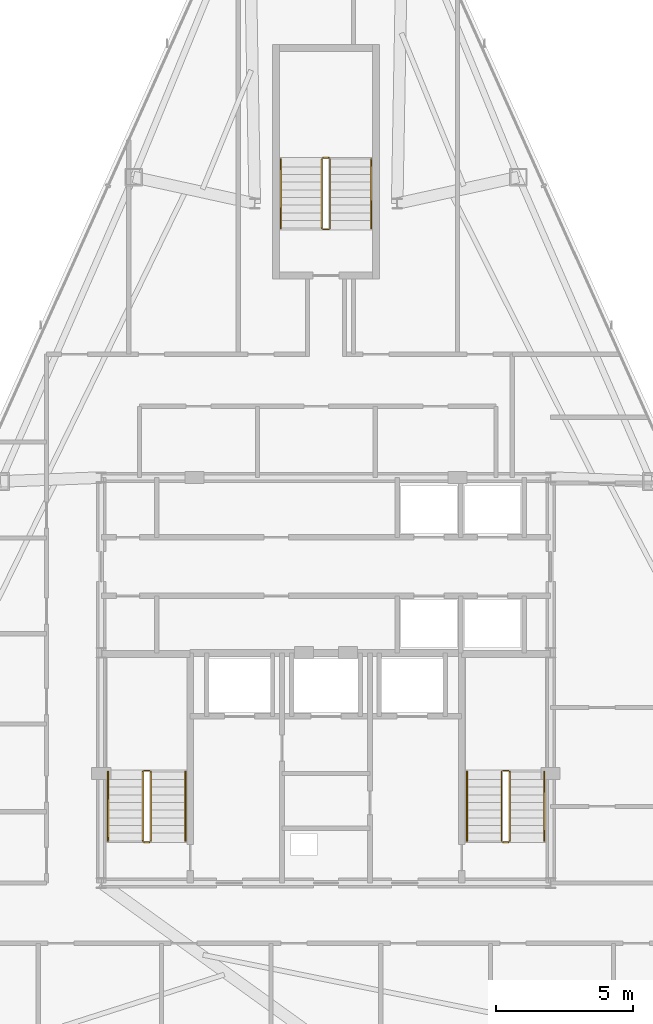
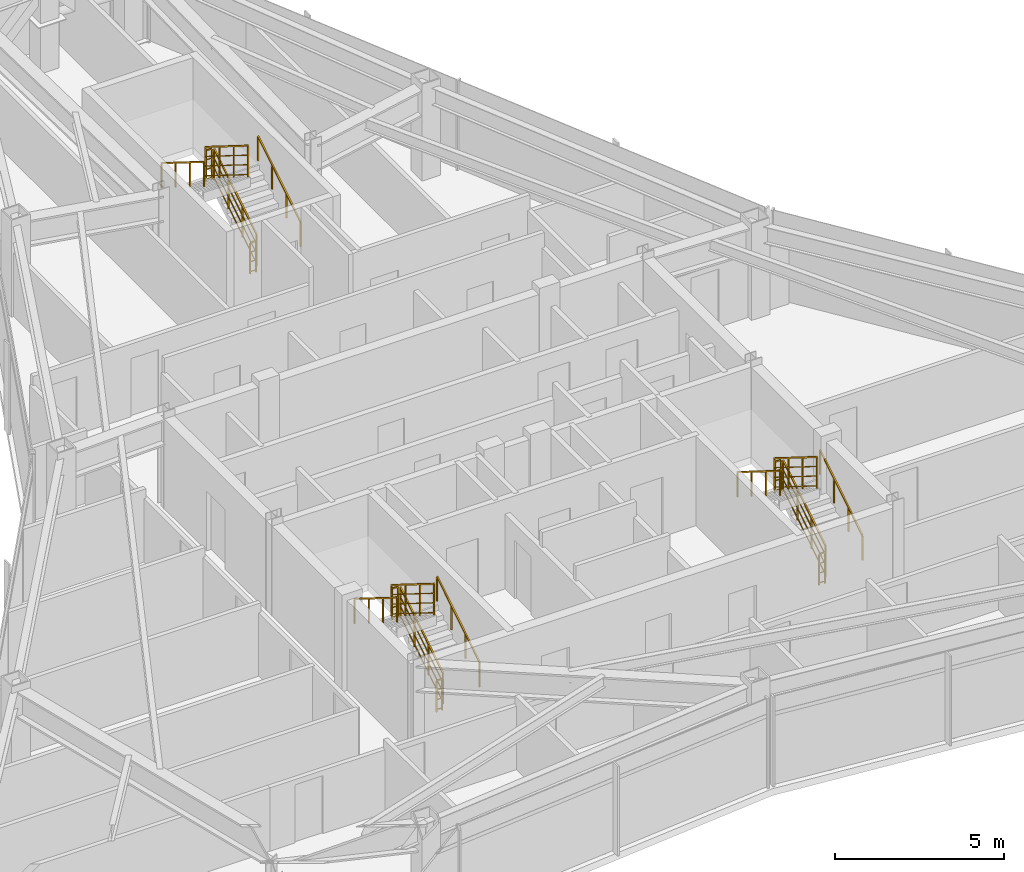
# One storey, part 12 of 12: 18 railings.
"""IFC4 building model written with IfcOpenShell, lengths in metres."""

from ifc_helpers import new_model, si_unit, direction, frame, origin, origin_2d, place, context, subcontext, project, spatial, rectangle, extrude, material, type_object, element, save


model = new_model("IFC4")

# Units and contexts
model_context = context("Model", 3, precision=1e-05, world=origin(), true_north=direction((0.0, 1.0)))
body_context = subcontext(model_context, "Body", "Model", "MODEL_VIEW")
ifc_project = project(units=[si_unit("LENGTHUNIT", "METRE"), si_unit("AREAUNIT", "SQUARE_METRE"), si_unit("VOLUMEUNIT", "CUBIC_METRE"), si_unit("PLANEANGLEUNIT", "RADIAN"), si_unit("MASSUNIT", "GRAM", prefix="KILO")], contexts=[model_context])

# Site, building, storey
site_placement = place(None, origin())
site = spatial("IfcSite", under=ifc_project, at=site_placement, CompositionType="ELEMENT")
building_placement = place(site_placement, origin())
building = spatial("IfcBuilding", under=site, at=building_placement, Name="Varakhsha Concourse Tower", CompositionType="ELEMENT")
storey_placement = place(building_placement, frame((0.0, 0.0, 255.0)))
storey = spatial("IfcBuildingStorey", under=building, at=storey_placement, Name="L72", CompositionType="ELEMENT", Elevation=255.0)

# Railings
ifc_material = material(Name="Brushed Austenitic Stainless Steel AISI 316", Category="steel")
railing_type_1 = type_object("IfcRailingType", Name="RL-STAIR-GUARD-1100", PredefinedType="GUARDRAIL", material=ifc_material)
railing_1_placement = place(storey_placement, frame((33.610107421875, 17.93994140625, 0.175048828125)))
element("IfcRailing", 1, at=railing_1_placement, inside=storey, type_object=railing_type_1, Name="L72 ST1 stair guard 1", PredefinedType="GUARDRAIL", context=body_context, shape_type="SweptSolid", body=[
    extrude(rectangle(XDim=0.048095703125, YDim=0.048095703125, at=origin_2d()), frame((0.0, 0.0, 1.1259765625), z_axis=(0.0, 0.848007534815, 0.529984170421), x_axis=(-1.0, 0.0, 0.0)), (0.0, 0.0, 1.0), 2.9716796875),
    extrude(rectangle(XDim=0.028076171875, YDim=0.028076171875, at=origin_2d()), frame((0.0, 0.0, 0.080078125), z_axis=(0.0, 0.848007534815, 0.529984170421), x_axis=(-1.0, 0.0, 0.0)), (0.0, 0.0, 1.0), 2.9716796875),
    extrude(rectangle(XDim=0.028076171875, YDim=0.028076171875, at=origin_2d()), frame((0.0, 0.0, 0.43701171875), z_axis=(0.0, 0.848007534815, 0.529984170421), x_axis=(-1.0, 0.0, 0.0)), (0.0, 0.0, 1.0), 2.9716796875),
    extrude(rectangle(XDim=0.028076171875, YDim=0.028076171875, at=origin_2d()), frame((0.0, 0.0, 0.781982421875), z_axis=(0.0, 0.848007534815, 0.529984170421), x_axis=(-1.0, 0.0, 0.0)), (0.0, 0.0, 1.0), 2.9716796875),
    extrude(rectangle(XDim=0.0419921875, YDim=0.0419921875, at=origin_2d()), origin(), (0.0, 0.0, 1.0), 1.101806640625),
    extrude(rectangle(XDim=0.0419921875, YDim=0.0419921875, at=origin_2d()), frame((0.0, 0.840087890625, 0.52490234375)), (0.0, 0.0, 1.0), 1.101806640625),
    extrude(rectangle(XDim=0.0419921875, YDim=0.0419921875, at=origin_2d()), frame((0.0, 1.679931640625, 1.050048828125)), (0.0, 0.0, 1.0), 1.101806640625),
    extrude(rectangle(XDim=0.0419921875, YDim=0.0419921875, at=origin_2d()), frame((0.0, 2.52001953125, 1.574951171875)), (0.0, 0.0, 1.0), 1.101806640625),
])
railing_2_placement = place(storey_placement, frame((33.56005859375, 20.510009765625, 1.75)))
element("IfcRailing", 2, at=railing_2_placement, inside=storey, type_object=railing_type_1, Name="L72 ST1 stair guard 2", PredefinedType="GUARDRAIL", context=body_context, shape_type="SweptSolid", body=[
    extrude(rectangle(XDim=0.048095703125, YDim=0.048095703125, at=origin_2d()), frame((0.0, 0.0, 1.1259765625), z_axis=(-1.0, 0.0, 0.0), x_axis=(0.0, -1.0, 0.0)), (0.0, 0.0, 1.0), 0.199951171875),
    extrude(rectangle(XDim=0.028076171875, YDim=0.028076171875, at=origin_2d()), frame((0.0, 0.0, 0.080078125), z_axis=(-1.0, 0.0, 0.0), x_axis=(0.0, -1.0, 0.0)), (0.0, 0.0, 1.0), 0.199951171875),
    extrude(rectangle(XDim=0.028076171875, YDim=0.028076171875, at=origin_2d()), frame((0.0, 0.0, 0.43701171875), z_axis=(-1.0, 0.0, 0.0), x_axis=(0.0, -1.0, 0.0)), (0.0, 0.0, 1.0), 0.199951171875),
    extrude(rectangle(XDim=0.028076171875, YDim=0.028076171875, at=origin_2d()), frame((0.0, 0.0, 0.781982421875), z_axis=(-1.0, 0.0, 0.0), x_axis=(0.0, -1.0, 0.0)), (0.0, 0.0, 1.0), 0.199951171875),
    extrude(rectangle(XDim=0.0419921875, YDim=0.0419921875, at=origin_2d()), origin(), (0.0, 0.0, 1.0), 1.101806640625),
    extrude(rectangle(XDim=0.0419921875, YDim=0.0419921875, at=origin_2d()), frame((-0.199951171875, 0.0, 0.0)), (0.0, 0.0, 1.0), 1.101806640625),
])
railing_3_placement = place(storey_placement, frame((33.31005859375, 20.4599609375, 1.925048828125)))
element("IfcRailing", 3, at=railing_3_placement, inside=storey, type_object=railing_type_1, Name="L72 ST1 stair guard 3", PredefinedType="GUARDRAIL", context=body_context, shape_type="SweptSolid", body=[
    extrude(rectangle(XDim=0.048095703125, YDim=0.048095703125, at=origin_2d()), frame((0.0, 0.0, 1.1259765625), z_axis=(0.0, -0.848007534815, 0.529984170421), x_axis=(1.0, 0.0, 0.0)), (0.0, 0.0, 1.0), 2.9716796875),
    extrude(rectangle(XDim=0.028076171875, YDim=0.028076171875, at=origin_2d()), frame((0.0, 0.0, 0.080078125), z_axis=(0.0, -0.848007534815, 0.529984170421), x_axis=(1.0, 0.0, 0.0)), (0.0, 0.0, 1.0), 2.9716796875),
    extrude(rectangle(XDim=0.028076171875, YDim=0.028076171875, at=origin_2d()), frame((0.0, 0.0, 0.43701171875), z_axis=(0.0, -0.848007534815, 0.529984170421), x_axis=(1.0, 0.0, 0.0)), (0.0, 0.0, 1.0), 2.9716796875),
    extrude(rectangle(XDim=0.028076171875, YDim=0.028076171875, at=origin_2d()), frame((0.0, 0.0, 0.781982421875), z_axis=(0.0, -0.848007534815, 0.529984170421), x_axis=(1.0, 0.0, 0.0)), (0.0, 0.0, 1.0), 2.9716796875),
    extrude(rectangle(XDim=0.0419921875, YDim=0.0419921875, at=origin_2d()), origin(), (0.0, 0.0, 1.0), 1.101806640625),
    extrude(rectangle(XDim=0.0419921875, YDim=0.0419921875, at=origin_2d()), frame((0.0, -0.840087890625, 0.52490234375)), (0.0, 0.0, 1.0), 1.101806640625),
    extrude(rectangle(XDim=0.0419921875, YDim=0.0419921875, at=origin_2d()), frame((0.0, -1.679931640625, 1.050048828125)), (0.0, 0.0, 1.0), 1.101806640625),
    extrude(rectangle(XDim=0.0419921875, YDim=0.0419921875, at=origin_2d()), frame((0.0, -2.52001953125, 1.574951171875)), (0.0, 0.0, 1.0), 1.101806640625),
])
railing_4_placement = place(storey_placement, frame((33.56005859375, 17.889892578125, 0.0)))
element("IfcRailing", 4, at=railing_4_placement, inside=storey, type_object=railing_type_1, Name="L72 ST1 stair guard 4", PredefinedType="GUARDRAIL", context=body_context, shape_type="SweptSolid", body=[
    extrude(rectangle(XDim=0.048095703125, YDim=0.048095703125, at=origin_2d()), frame((0.0, 0.0, 1.1259765625), z_axis=(-1.0, 0.0, 0.0), x_axis=(0.0, -1.0, 0.0)), (0.0, 0.0, 1.0), 0.199951171875),
    extrude(rectangle(XDim=0.028076171875, YDim=0.028076171875, at=origin_2d()), frame((0.0, 0.0, 0.080078125), z_axis=(-1.0, 0.0, 0.0), x_axis=(0.0, -1.0, 0.0)), (0.0, 0.0, 1.0), 0.199951171875),
    extrude(rectangle(XDim=0.028076171875, YDim=0.028076171875, at=origin_2d()), frame((0.0, 0.0, 0.43701171875), z_axis=(-1.0, 0.0, 0.0), x_axis=(0.0, -1.0, 0.0)), (0.0, 0.0, 1.0), 0.199951171875),
    extrude(rectangle(XDim=0.028076171875, YDim=0.028076171875, at=origin_2d()), frame((0.0, 0.0, 0.781982421875), z_axis=(-1.0, 0.0, 0.0), x_axis=(0.0, -1.0, 0.0)), (0.0, 0.0, 1.0), 0.199951171875),
    extrude(rectangle(XDim=0.0419921875, YDim=0.0419921875, at=origin_2d()), origin(), (0.0, 0.0, 1.0), 1.101806640625),
    extrude(rectangle(XDim=0.0419921875, YDim=0.0419921875, at=origin_2d()), frame((-0.199951171875, 0.0, 0.0)), (0.0, 0.0, 1.0), 1.101806640625),
])
railing_5_placement = place(storey_placement, frame((46.7099609375, 17.93994140625, 0.175048828125)))
element("IfcRailing", 5, at=railing_5_placement, inside=storey, type_object=railing_type_1, Name="L72 ST2 stair guard 1", PredefinedType="GUARDRAIL", context=body_context, shape_type="SweptSolid", body=[
    extrude(rectangle(XDim=0.048095703125, YDim=0.048095703125, at=origin_2d()), frame((0.0, 0.0, 1.1259765625), z_axis=(0.0, 0.848007534815, 0.529984170421), x_axis=(-1.0, 0.0, 0.0)), (0.0, 0.0, 1.0), 2.9716796875),
    extrude(rectangle(XDim=0.028076171875, YDim=0.028076171875, at=origin_2d()), frame((0.0, 0.0, 0.080078125), z_axis=(0.0, 0.848007534815, 0.529984170421), x_axis=(-1.0, 0.0, 0.0)), (0.0, 0.0, 1.0), 2.9716796875),
    extrude(rectangle(XDim=0.028076171875, YDim=0.028076171875, at=origin_2d()), frame((0.0, 0.0, 0.43701171875), z_axis=(0.0, 0.848007534815, 0.529984170421), x_axis=(-1.0, 0.0, 0.0)), (0.0, 0.0, 1.0), 2.9716796875),
    extrude(rectangle(XDim=0.028076171875, YDim=0.028076171875, at=origin_2d()), frame((0.0, 0.0, 0.781982421875), z_axis=(0.0, 0.848007534815, 0.529984170421), x_axis=(-1.0, 0.0, 0.0)), (0.0, 0.0, 1.0), 2.9716796875),
    extrude(rectangle(XDim=0.0419921875, YDim=0.0419921875, at=origin_2d()), origin(), (0.0, 0.0, 1.0), 1.101806640625),
    extrude(rectangle(XDim=0.0419921875, YDim=0.0419921875, at=origin_2d()), frame((0.0, 0.840087890625, 0.52490234375)), (0.0, 0.0, 1.0), 1.101806640625),
    extrude(rectangle(XDim=0.0419921875, YDim=0.0419921875, at=origin_2d()), frame((0.0, 1.679931640625, 1.050048828125)), (0.0, 0.0, 1.0), 1.101806640625),
    extrude(rectangle(XDim=0.0419921875, YDim=0.0419921875, at=origin_2d()), frame((0.0, 2.52001953125, 1.574951171875)), (0.0, 0.0, 1.0), 1.101806640625),
])
railing_6_placement = place(storey_placement, frame((46.659912109375, 20.510009765625, 1.75)))
element("IfcRailing", 6, at=railing_6_placement, inside=storey, type_object=railing_type_1, Name="L72 ST2 stair guard 2", PredefinedType="GUARDRAIL", context=body_context, shape_type="SweptSolid", body=[
    extrude(rectangle(XDim=0.048095703125, YDim=0.048095703125, at=origin_2d()), frame((0.0, 0.0, 1.1259765625), z_axis=(-1.0, 0.0, 0.0), x_axis=(0.0, -1.0, 0.0)), (0.0, 0.0, 1.0), 0.199951171875),
    extrude(rectangle(XDim=0.028076171875, YDim=0.028076171875, at=origin_2d()), frame((0.0, 0.0, 0.080078125), z_axis=(-1.0, 0.0, 0.0), x_axis=(0.0, -1.0, 0.0)), (0.0, 0.0, 1.0), 0.199951171875),
    extrude(rectangle(XDim=0.028076171875, YDim=0.028076171875, at=origin_2d()), frame((0.0, 0.0, 0.43701171875), z_axis=(-1.0, 0.0, 0.0), x_axis=(0.0, -1.0, 0.0)), (0.0, 0.0, 1.0), 0.199951171875),
    extrude(rectangle(XDim=0.028076171875, YDim=0.028076171875, at=origin_2d()), frame((0.0, 0.0, 0.781982421875), z_axis=(-1.0, 0.0, 0.0), x_axis=(0.0, -1.0, 0.0)), (0.0, 0.0, 1.0), 0.199951171875),
    extrude(rectangle(XDim=0.0419921875, YDim=0.0419921875, at=origin_2d()), origin(), (0.0, 0.0, 1.0), 1.101806640625),
    extrude(rectangle(XDim=0.0419921875, YDim=0.0419921875, at=origin_2d()), frame((-0.199951171875, 0.0, 0.0)), (0.0, 0.0, 1.0), 1.101806640625),
])
railing_7_placement = place(storey_placement, frame((46.409912109375, 20.4599609375, 1.925048828125)))
element("IfcRailing", 7, at=railing_7_placement, inside=storey, type_object=railing_type_1, Name="L72 ST2 stair guard 3", PredefinedType="GUARDRAIL", context=body_context, shape_type="SweptSolid", body=[
    extrude(rectangle(XDim=0.048095703125, YDim=0.048095703125, at=origin_2d()), frame((0.0, 0.0, 1.1259765625), z_axis=(0.0, -0.848007534815, 0.529984170421), x_axis=(1.0, 0.0, 0.0)), (0.0, 0.0, 1.0), 2.9716796875),
    extrude(rectangle(XDim=0.028076171875, YDim=0.028076171875, at=origin_2d()), frame((0.0, 0.0, 0.080078125), z_axis=(0.0, -0.848007534815, 0.529984170421), x_axis=(1.0, 0.0, 0.0)), (0.0, 0.0, 1.0), 2.9716796875),
    extrude(rectangle(XDim=0.028076171875, YDim=0.028076171875, at=origin_2d()), frame((0.0, 0.0, 0.43701171875), z_axis=(0.0, -0.848007534815, 0.529984170421), x_axis=(1.0, 0.0, 0.0)), (0.0, 0.0, 1.0), 2.9716796875),
    extrude(rectangle(XDim=0.028076171875, YDim=0.028076171875, at=origin_2d()), frame((0.0, 0.0, 0.781982421875), z_axis=(0.0, -0.848007534815, 0.529984170421), x_axis=(1.0, 0.0, 0.0)), (0.0, 0.0, 1.0), 2.9716796875),
    extrude(rectangle(XDim=0.0419921875, YDim=0.0419921875, at=origin_2d()), origin(), (0.0, 0.0, 1.0), 1.101806640625),
    extrude(rectangle(XDim=0.0419921875, YDim=0.0419921875, at=origin_2d()), frame((0.0, -0.840087890625, 0.52490234375)), (0.0, 0.0, 1.0), 1.101806640625),
    extrude(rectangle(XDim=0.0419921875, YDim=0.0419921875, at=origin_2d()), frame((0.0, -1.679931640625, 1.050048828125)), (0.0, 0.0, 1.0), 1.101806640625),
    extrude(rectangle(XDim=0.0419921875, YDim=0.0419921875, at=origin_2d()), frame((0.0, -2.52001953125, 1.574951171875)), (0.0, 0.0, 1.0), 1.101806640625),
])
railing_8_placement = place(storey_placement, frame((46.659912109375, 17.889892578125, 0.0)))
element("IfcRailing", 8, at=railing_8_placement, inside=storey, type_object=railing_type_1, Name="L72 ST2 stair guard 4", PredefinedType="GUARDRAIL", context=body_context, shape_type="SweptSolid", body=[
    extrude(rectangle(XDim=0.048095703125, YDim=0.048095703125, at=origin_2d()), frame((0.0, 0.0, 1.1259765625), z_axis=(-1.0, 0.0, 0.0), x_axis=(0.0, -1.0, 0.0)), (0.0, 0.0, 1.0), 0.199951171875),
    extrude(rectangle(XDim=0.028076171875, YDim=0.028076171875, at=origin_2d()), frame((0.0, 0.0, 0.080078125), z_axis=(-1.0, 0.0, 0.0), x_axis=(0.0, -1.0, 0.0)), (0.0, 0.0, 1.0), 0.199951171875),
    extrude(rectangle(XDim=0.028076171875, YDim=0.028076171875, at=origin_2d()), frame((0.0, 0.0, 0.43701171875), z_axis=(-1.0, 0.0, 0.0), x_axis=(0.0, -1.0, 0.0)), (0.0, 0.0, 1.0), 0.199951171875),
    extrude(rectangle(XDim=0.028076171875, YDim=0.028076171875, at=origin_2d()), frame((0.0, 0.0, 0.781982421875), z_axis=(-1.0, 0.0, 0.0), x_axis=(0.0, -1.0, 0.0)), (0.0, 0.0, 1.0), 0.199951171875),
    extrude(rectangle(XDim=0.0419921875, YDim=0.0419921875, at=origin_2d()), origin(), (0.0, 0.0, 1.0), 1.101806640625),
    extrude(rectangle(XDim=0.0419921875, YDim=0.0419921875, at=origin_2d()), frame((-0.199951171875, 0.0, 0.0)), (0.0, 0.0, 1.0), 1.101806640625),
])
railing_9_placement = place(storey_placement, frame((40.14990234375, 40.300048828125, 0.175048828125)))
element("IfcRailing", 9, at=railing_9_placement, inside=storey, type_object=railing_type_1, Name="L72 ST5 stair guard 1", PredefinedType="GUARDRAIL", context=body_context, shape_type="SweptSolid", body=[
    extrude(rectangle(XDim=0.048095703125, YDim=0.048095703125, at=origin_2d()), frame((0.0, 0.0, 1.1259765625), z_axis=(0.0, 0.848007534815, 0.529984170421), x_axis=(-1.0, 0.0, 0.0)), (0.0, 0.0, 1.0), 2.9716796875),
    extrude(rectangle(XDim=0.028076171875, YDim=0.028076171875, at=origin_2d()), frame((0.0, 0.0, 0.080078125), z_axis=(0.0, 0.848007534815, 0.529984170421), x_axis=(-1.0, 0.0, 0.0)), (0.0, 0.0, 1.0), 2.9716796875),
    extrude(rectangle(XDim=0.028076171875, YDim=0.028076171875, at=origin_2d()), frame((0.0, 0.0, 0.43701171875), z_axis=(0.0, 0.848007534815, 0.529984170421), x_axis=(-1.0, 0.0, 0.0)), (0.0, 0.0, 1.0), 2.9716796875),
    extrude(rectangle(XDim=0.028076171875, YDim=0.028076171875, at=origin_2d()), frame((0.0, 0.0, 0.781982421875), z_axis=(0.0, 0.848007534815, 0.529984170421), x_axis=(-1.0, 0.0, 0.0)), (0.0, 0.0, 1.0), 2.9716796875),
    extrude(rectangle(XDim=0.0419921875, YDim=0.0419921875, at=origin_2d()), origin(), (0.0, 0.0, 1.0), 1.101806640625),
    extrude(rectangle(XDim=0.0419921875, YDim=0.0419921875, at=origin_2d()), frame((0.0, 0.840087890625, 0.52490234375)), (0.0, 0.0, 1.0), 1.101806640625),
    extrude(rectangle(XDim=0.0419921875, YDim=0.0419921875, at=origin_2d()), frame((0.0, 1.679931640625, 1.050048828125)), (0.0, 0.0, 1.0), 1.101806640625),
    extrude(rectangle(XDim=0.0419921875, YDim=0.0419921875, at=origin_2d()), frame((0.0, 2.52001953125, 1.574951171875)), (0.0, 0.0, 1.0), 1.101806640625),
])
railing_10_placement = place(storey_placement, frame((40.10009765625, 42.8701171875, 1.75)))
element("IfcRailing", 10, at=railing_10_placement, inside=storey, type_object=railing_type_1, Name="L72 ST5 stair guard 2", PredefinedType="GUARDRAIL", context=body_context, shape_type="SweptSolid", body=[
    extrude(rectangle(XDim=0.048095703125, YDim=0.048095703125, at=origin_2d()), frame((0.0, 0.0, 1.1259765625), z_axis=(-1.0, 0.0, 0.0), x_axis=(0.0, -1.0, 0.0)), (0.0, 0.0, 1.0), 0.2001953125),
    extrude(rectangle(XDim=0.028076171875, YDim=0.028076171875, at=origin_2d()), frame((0.0, 0.0, 0.080078125), z_axis=(-1.0, 0.0, 0.0), x_axis=(0.0, -1.0, 0.0)), (0.0, 0.0, 1.0), 0.2001953125),
    extrude(rectangle(XDim=0.028076171875, YDim=0.028076171875, at=origin_2d()), frame((0.0, 0.0, 0.43701171875), z_axis=(-1.0, 0.0, 0.0), x_axis=(0.0, -1.0, 0.0)), (0.0, 0.0, 1.0), 0.2001953125),
    extrude(rectangle(XDim=0.028076171875, YDim=0.028076171875, at=origin_2d()), frame((0.0, 0.0, 0.781982421875), z_axis=(-1.0, 0.0, 0.0), x_axis=(0.0, -1.0, 0.0)), (0.0, 0.0, 1.0), 0.2001953125),
    extrude(rectangle(XDim=0.0419921875, YDim=0.0419921875, at=origin_2d()), origin(), (0.0, 0.0, 1.0), 1.101806640625),
    extrude(rectangle(XDim=0.0419921875, YDim=0.0419921875, at=origin_2d()), frame((-0.2001953125, 0.0, 0.0)), (0.0, 0.0, 1.0), 1.101806640625),
])
railing_11_placement = place(storey_placement, frame((39.85009765625, 42.820068359375, 1.925048828125)))
element("IfcRailing", 11, at=railing_11_placement, inside=storey, type_object=railing_type_1, Name="L72 ST5 stair guard 3", PredefinedType="GUARDRAIL", context=body_context, shape_type="SweptSolid", body=[
    extrude(rectangle(XDim=0.048095703125, YDim=0.048095703125, at=origin_2d()), frame((0.0, 0.0, 1.1259765625), z_axis=(0.0, -0.848007534815, 0.529984170421), x_axis=(1.0, 0.0, 0.0)), (0.0, 0.0, 1.0), 2.9716796875),
    extrude(rectangle(XDim=0.028076171875, YDim=0.028076171875, at=origin_2d()), frame((0.0, 0.0, 0.080078125), z_axis=(0.0, -0.848007534815, 0.529984170421), x_axis=(1.0, 0.0, 0.0)), (0.0, 0.0, 1.0), 2.9716796875),
    extrude(rectangle(XDim=0.028076171875, YDim=0.028076171875, at=origin_2d()), frame((0.0, 0.0, 0.43701171875), z_axis=(0.0, -0.848007534815, 0.529984170421), x_axis=(1.0, 0.0, 0.0)), (0.0, 0.0, 1.0), 2.9716796875),
    extrude(rectangle(XDim=0.028076171875, YDim=0.028076171875, at=origin_2d()), frame((0.0, 0.0, 0.781982421875), z_axis=(0.0, -0.848007534815, 0.529984170421), x_axis=(1.0, 0.0, 0.0)), (0.0, 0.0, 1.0), 2.9716796875),
    extrude(rectangle(XDim=0.0419921875, YDim=0.0419921875, at=origin_2d()), origin(), (0.0, 0.0, 1.0), 1.101806640625),
    extrude(rectangle(XDim=0.0419921875, YDim=0.0419921875, at=origin_2d()), frame((0.0, -0.840087890625, 0.52490234375)), (0.0, 0.0, 1.0), 1.101806640625),
    extrude(rectangle(XDim=0.0419921875, YDim=0.0419921875, at=origin_2d()), frame((0.0, -1.679931640625, 1.050048828125)), (0.0, 0.0, 1.0), 1.101806640625),
    extrude(rectangle(XDim=0.0419921875, YDim=0.0419921875, at=origin_2d()), frame((0.0, -2.52001953125, 1.574951171875)), (0.0, 0.0, 1.0), 1.101806640625),
])
railing_12_placement = place(storey_placement, frame((40.10009765625, 40.25, 0.0)))
element("IfcRailing", 12, at=railing_12_placement, inside=storey, type_object=railing_type_1, Name="L72 ST5 stair guard 4", PredefinedType="GUARDRAIL", context=body_context, shape_type="SweptSolid", body=[
    extrude(rectangle(XDim=0.048095703125, YDim=0.048095703125, at=origin_2d()), frame((0.0, 0.0, 1.1259765625), z_axis=(-1.0, 0.0, 0.0), x_axis=(0.0, -1.0, 0.0)), (0.0, 0.0, 1.0), 0.2001953125),
    extrude(rectangle(XDim=0.028076171875, YDim=0.028076171875, at=origin_2d()), frame((0.0, 0.0, 0.080078125), z_axis=(-1.0, 0.0, 0.0), x_axis=(0.0, -1.0, 0.0)), (0.0, 0.0, 1.0), 0.2001953125),
    extrude(rectangle(XDim=0.028076171875, YDim=0.028076171875, at=origin_2d()), frame((0.0, 0.0, 0.43701171875), z_axis=(-1.0, 0.0, 0.0), x_axis=(0.0, -1.0, 0.0)), (0.0, 0.0, 1.0), 0.2001953125),
    extrude(rectangle(XDim=0.028076171875, YDim=0.028076171875, at=origin_2d()), frame((0.0, 0.0, 0.781982421875), z_axis=(-1.0, 0.0, 0.0), x_axis=(0.0, -1.0, 0.0)), (0.0, 0.0, 1.0), 0.2001953125),
    extrude(rectangle(XDim=0.0419921875, YDim=0.0419921875, at=origin_2d()), origin(), (0.0, 0.0, 1.0), 1.101806640625),
    extrude(rectangle(XDim=0.0419921875, YDim=0.0419921875, at=origin_2d()), frame((-0.2001953125, 0.0, 0.0)), (0.0, 0.0, 1.0), 1.101806640625),
])
railing_type_2 = type_object("IfcRailingType", Name="RL-STAIR-RAIL-915", PredefinedType="HANDRAIL", material=ifc_material)
railing_13_placement = place(storey_placement, frame((34.8701171875, 17.93994140625, 0.35009765625)))
element("IfcRailing", 13, at=railing_13_placement, inside=storey, type_object=railing_type_2, Name="L72 ST1 stair handrail 1", PredefinedType="HANDRAIL", context=body_context, shape_type="SweptSolid", body=[
    extrude(rectangle(XDim=0.048095703125, YDim=0.048095703125, at=origin_2d()), frame((0.0, 0.0, 0.89111328125), z_axis=(0.0, 0.848007534815, 0.529984170421), x_axis=(-1.0, 0.0, 0.0)), (0.0, 0.0, 1.0), 2.9716796875),
    extrude(rectangle(XDim=0.0419921875, YDim=0.0419921875, at=origin_2d()), origin(), (0.0, 0.0, 1.0), 0.866943359375),
    extrude(rectangle(XDim=0.0419921875, YDim=0.0419921875, at=origin_2d()), frame((0.0, 0.840087890625, 0.52490234375)), (0.0, 0.0, 1.0), 0.866943359375),
    extrude(rectangle(XDim=0.0419921875, YDim=0.0419921875, at=origin_2d()), frame((0.0, 1.679931640625, 1.050048828125)), (0.0, 0.0, 1.0), 0.866943359375),
    extrude(rectangle(XDim=0.0419921875, YDim=0.0419921875, at=origin_2d()), frame((0.0, 2.52001953125, 1.574951171875)), (0.0, 0.0, 1.0), 0.866943359375),
])
railing_14_placement = place(storey_placement, frame((32.050048828125, 20.4599609375, 2.10009765625)))
element("IfcRailing", 14, at=railing_14_placement, inside=storey, type_object=railing_type_2, Name="L72 ST1 stair handrail 2", PredefinedType="HANDRAIL", context=body_context, shape_type="SweptSolid", body=[
    extrude(rectangle(XDim=0.048095703125, YDim=0.048095703125, at=origin_2d()), frame((0.0, 0.0, 0.89111328125), z_axis=(0.0, -0.848007534815, 0.529984170421), x_axis=(1.0, 0.0, 0.0)), (0.0, 0.0, 1.0), 2.9716796875),
    extrude(rectangle(XDim=0.0419921875, YDim=0.0419921875, at=origin_2d()), origin(), (0.0, 0.0, 1.0), 0.866943359375),
    extrude(rectangle(XDim=0.0419921875, YDim=0.0419921875, at=origin_2d()), frame((0.0, -0.840087890625, 0.52490234375)), (0.0, 0.0, 1.0), 0.866943359375),
    extrude(rectangle(XDim=0.0419921875, YDim=0.0419921875, at=origin_2d()), frame((0.0, -1.679931640625, 1.050048828125)), (0.0, 0.0, 1.0), 0.866943359375),
    extrude(rectangle(XDim=0.0419921875, YDim=0.0419921875, at=origin_2d()), frame((0.0, -2.52001953125, 1.574951171875)), (0.0, 0.0, 1.0), 0.866943359375),
])
railing_15_placement = place(storey_placement, frame((47.969970703125, 17.93994140625, 0.35009765625)))
element("IfcRailing", 15, at=railing_15_placement, inside=storey, type_object=railing_type_2, Name="L72 ST2 stair handrail 1", PredefinedType="HANDRAIL", context=body_context, shape_type="SweptSolid", body=[
    extrude(rectangle(XDim=0.048095703125, YDim=0.048095703125, at=origin_2d()), frame((0.0, 0.0, 0.89111328125), z_axis=(0.0, 0.848007534815, 0.529984170421), x_axis=(-1.0, 0.0, 0.0)), (0.0, 0.0, 1.0), 2.9716796875),
    extrude(rectangle(XDim=0.0419921875, YDim=0.0419921875, at=origin_2d()), origin(), (0.0, 0.0, 1.0), 0.866943359375),
    extrude(rectangle(XDim=0.0419921875, YDim=0.0419921875, at=origin_2d()), frame((0.0, 0.840087890625, 0.52490234375)), (0.0, 0.0, 1.0), 0.866943359375),
    extrude(rectangle(XDim=0.0419921875, YDim=0.0419921875, at=origin_2d()), frame((0.0, 1.679931640625, 1.050048828125)), (0.0, 0.0, 1.0), 0.866943359375),
    extrude(rectangle(XDim=0.0419921875, YDim=0.0419921875, at=origin_2d()), frame((0.0, 2.52001953125, 1.574951171875)), (0.0, 0.0, 1.0), 0.866943359375),
])
railing_16_placement = place(storey_placement, frame((45.14990234375, 20.4599609375, 2.10009765625)))
element("IfcRailing", 16, at=railing_16_placement, inside=storey, type_object=railing_type_2, Name="L72 ST2 stair handrail 2", PredefinedType="HANDRAIL", context=body_context, shape_type="SweptSolid", body=[
    extrude(rectangle(XDim=0.048095703125, YDim=0.048095703125, at=origin_2d()), frame((0.0, 0.0, 0.89111328125), z_axis=(0.0, -0.848007534815, 0.529984170421), x_axis=(1.0, 0.0, 0.0)), (0.0, 0.0, 1.0), 2.9716796875),
    extrude(rectangle(XDim=0.0419921875, YDim=0.0419921875, at=origin_2d()), origin(), (0.0, 0.0, 1.0), 0.866943359375),
    extrude(rectangle(XDim=0.0419921875, YDim=0.0419921875, at=origin_2d()), frame((0.0, -0.840087890625, 0.52490234375)), (0.0, 0.0, 1.0), 0.866943359375),
    extrude(rectangle(XDim=0.0419921875, YDim=0.0419921875, at=origin_2d()), frame((0.0, -1.679931640625, 1.050048828125)), (0.0, 0.0, 1.0), 0.866943359375),
    extrude(rectangle(XDim=0.0419921875, YDim=0.0419921875, at=origin_2d()), frame((0.0, -2.52001953125, 1.574951171875)), (0.0, 0.0, 1.0), 0.866943359375),
])
railing_17_placement = place(storey_placement, frame((41.64990234375, 40.300048828125, 0.35009765625)))
element("IfcRailing", 17, at=railing_17_placement, inside=storey, type_object=railing_type_2, Name="L72 ST5 stair handrail 1", PredefinedType="HANDRAIL", context=body_context, shape_type="SweptSolid", body=[
    extrude(rectangle(XDim=0.048095703125, YDim=0.048095703125, at=origin_2d()), frame((0.0, 0.0, 0.89111328125), z_axis=(0.0, 0.848007534815, 0.529984170421), x_axis=(-1.0, 0.0, 0.0)), (0.0, 0.0, 1.0), 2.9716796875),
    extrude(rectangle(XDim=0.0419921875, YDim=0.0419921875, at=origin_2d()), origin(), (0.0, 0.0, 1.0), 0.866943359375),
    extrude(rectangle(XDim=0.0419921875, YDim=0.0419921875, at=origin_2d()), frame((0.0, 0.840087890625, 0.52490234375)), (0.0, 0.0, 1.0), 0.866943359375),
    extrude(rectangle(XDim=0.0419921875, YDim=0.0419921875, at=origin_2d()), frame((0.0, 1.679931640625, 1.050048828125)), (0.0, 0.0, 1.0), 0.866943359375),
    extrude(rectangle(XDim=0.0419921875, YDim=0.0419921875, at=origin_2d()), frame((0.0, 2.52001953125, 1.574951171875)), (0.0, 0.0, 1.0), 0.866943359375),
])
railing_18_placement = place(storey_placement, frame((38.35009765625, 42.820068359375, 2.10009765625)))
element("IfcRailing", 18, at=railing_18_placement, inside=storey, type_object=railing_type_2, Name="L72 ST5 stair handrail 2", PredefinedType="HANDRAIL", context=body_context, shape_type="SweptSolid", body=[
    extrude(rectangle(XDim=0.048095703125, YDim=0.048095703125, at=origin_2d()), frame((0.0, 0.0, 0.89111328125), z_axis=(0.0, -0.848007534815, 0.529984170421), x_axis=(1.0, 0.0, 0.0)), (0.0, 0.0, 1.0), 2.9716796875),
    extrude(rectangle(XDim=0.0419921875, YDim=0.0419921875, at=origin_2d()), origin(), (0.0, 0.0, 1.0), 0.866943359375),
    extrude(rectangle(XDim=0.0419921875, YDim=0.0419921875, at=origin_2d()), frame((0.0, -0.840087890625, 0.52490234375)), (0.0, 0.0, 1.0), 0.866943359375),
    extrude(rectangle(XDim=0.0419921875, YDim=0.0419921875, at=origin_2d()), frame((0.0, -1.679931640625, 1.050048828125)), (0.0, 0.0, 1.0), 0.866943359375),
    extrude(rectangle(XDim=0.0419921875, YDim=0.0419921875, at=origin_2d()), frame((0.0, -2.52001953125, 1.574951171875)), (0.0, 0.0, 1.0), 0.866943359375),
])

save(model, "model.ifc")
